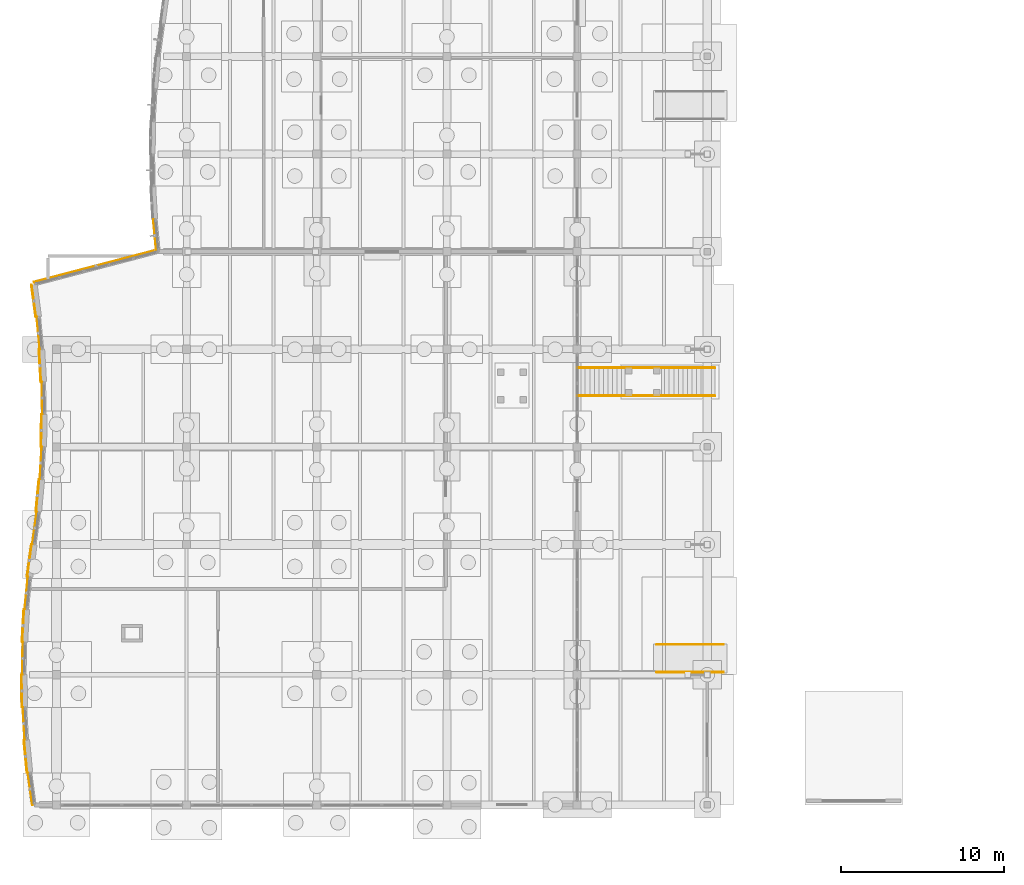
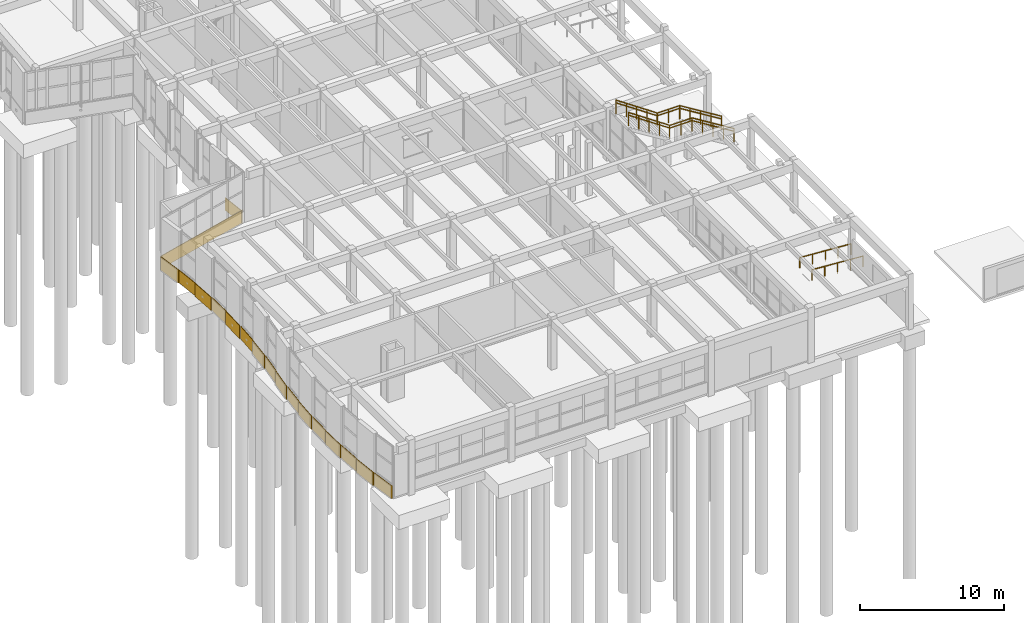
# One storey, part 86 of 99: 18 coverings, 6 railings.
"""IFC4 building model written with IfcOpenShell, lengths in metres."""

from ifc_helpers import new_model, si_unit, direction, frame, origin, origin_2d, place, context, subcontext, project, spatial, polyline, circle, outline, extrude, material, layer, layer_set, type_object, element, save


model = new_model("IFC4")

# Units and contexts
model_context = context("Model", 3, precision=1e-05, world=origin(), true_north=direction((0.0, 1.0)))
body_context = subcontext(model_context, "Body", "Model", "MODEL_VIEW")
ifc_project = project(units=[si_unit("LENGTHUNIT", "METRE"), si_unit("AREAUNIT", "SQUARE_METRE"), si_unit("VOLUMEUNIT", "CUBIC_METRE"), si_unit("PLANEANGLEUNIT", "RADIAN"), si_unit("MASSUNIT", "GRAM", prefix="KILO")], contexts=[model_context])

# Site, building, storey
site_placement = place(None, origin())
site = spatial("IfcSite", under=ifc_project, at=site_placement, CompositionType="ELEMENT")
building_placement = place(site_placement, origin())
building = spatial("IfcBuilding", under=site, at=building_placement, Name="Tonlespit Floodbar School", CompositionType="ELEMENT")
storey_placement = place(building_placement, origin())
storey = spatial("IfcBuildingStorey", under=building, at=storey_placement, Name="L00", CompositionType="ELEMENT", Elevation=0.0)

# Railings
ifc_material_1 = material(Name="Galvanised Steel", Category="steel")
railing_type_1 = type_object("IfcRailingType", Name="Balustrade_Ext_1150", PredefinedType="BALUSTRADE", material=ifc_material_1)
railing_1_placement = place(storey_placement, frame((44.4599609375, 30.860107421875, 0.173095703125)))
element("IfcRailing", 1, at=railing_1_placement, inside=storey, type_object=railing_type_1, Name="ST-D1 side guard 1", PredefinedType="BALUSTRADE", context=body_context, shape_type="SweptSolid", body=[
    extrude(circle(Radius=0.02392578125, at=origin_2d()), frame((0.0, 0.0, 1.1259765625), z_axis=(-0.850606129759, 0.0, 0.525803396734), x_axis=(0.0, -1.0, 0.0)), (0.0, 0.0, 1.0), 3.949951171875),
    extrude(circle(Radius=0.02392578125, at=origin_2d()), frame((-3.35986328125, 0.0, 3.20263671875), z_axis=(-1.0, 0.0, 0.0), x_axis=(0.0, -1.0, 0.0)), (0.0, 0.0, 1.0), 1.800048828125),
    extrude(circle(Radius=0.02392578125, at=origin_2d()), frame((-5.159912109375, 0.0, 3.20263671875), z_axis=(-0.826231222393, 0.0, 0.56333113454), x_axis=(0.0, -1.0, 0.0)), (0.0, 0.0, 1.0), 3.994140625),
    extrude(circle(Radius=0.02099609375, at=origin_2d()), origin(), (0.0, 0.0, 1.0), 1.101806640625),
    extrude(circle(Radius=0.02099609375, at=origin_2d()), frame((-0.83984375, 0.0, 0.519287109375)), (0.0, 0.0, 1.0), 1.101806640625),
    extrude(circle(Radius=0.02099609375, at=origin_2d()), frame((-1.679931640625, 0.0, 1.03857421875)), (0.0, 0.0, 1.0), 1.101806640625),
    extrude(circle(Radius=0.02099609375, at=origin_2d()), frame((-2.52001953125, 0.0, 1.5576171875)), (0.0, 0.0, 1.0), 1.101806640625),
    extrude(circle(Radius=0.02099609375, at=origin_2d()), frame((-3.35986328125, 0.0, 2.076904296875)), (0.0, 0.0, 1.0), 1.101806640625),
    extrude(circle(Radius=0.02099609375, at=origin_2d()), frame((-4.259765625, 0.0, 2.076904296875)), (0.0, 0.0, 1.0), 1.101806640625),
    extrude(circle(Radius=0.02099609375, at=origin_2d()), frame((-5.159912109375, 0.0, 2.076904296875)), (0.0, 0.0, 1.0), 1.101806640625),
    extrude(circle(Radius=0.02099609375, at=origin_2d()), frame((-5.98486328125, 0.0, 2.639404296875)), (0.0, 0.0, 1.0), 1.101806640625),
    extrude(circle(Radius=0.02099609375, at=origin_2d()), frame((-6.81005859375, 0.0, 3.201904296875)), (0.0, 0.0, 1.0), 1.101806640625),
    extrude(circle(Radius=0.02099609375, at=origin_2d()), frame((-7.635009765625, 0.0, 3.764404296875)), (0.0, 0.0, 1.0), 1.101806640625),
    extrude(circle(Radius=0.02099609375, at=origin_2d()), frame((-8.4599609375, 0.0, 4.326904296875)), (0.0, 0.0, 1.0), 1.101806640625),
])
railing_2_placement = place(storey_placement, frame((44.4599609375, 29.139892578125, 0.173095703125)))
element("IfcRailing", 2, at=railing_2_placement, inside=storey, type_object=railing_type_1, Name="ST-D1 side guard 2", PredefinedType="BALUSTRADE", context=body_context, shape_type="SweptSolid", body=[
    extrude(circle(Radius=0.02392578125, at=origin_2d()), frame((0.0, 0.0, 1.1259765625), z_axis=(-0.850606129759, 0.0, 0.525803396734), x_axis=(0.0, -1.0, 0.0)), (0.0, 0.0, 1.0), 3.949951171875),
    extrude(circle(Radius=0.02392578125, at=origin_2d()), frame((-3.35986328125, 0.0, 3.20263671875), z_axis=(-1.0, 0.0, 0.0), x_axis=(0.0, -1.0, 0.0)), (0.0, 0.0, 1.0), 1.800048828125),
    extrude(circle(Radius=0.02392578125, at=origin_2d()), frame((-5.159912109375, 0.0, 3.20263671875), z_axis=(-0.826231222393, 0.0, 0.56333113454), x_axis=(0.0, -1.0, 0.0)), (0.0, 0.0, 1.0), 3.994140625),
    extrude(circle(Radius=0.02099609375, at=origin_2d()), origin(), (0.0, 0.0, 1.0), 1.101806640625),
    extrude(circle(Radius=0.02099609375, at=origin_2d()), frame((-0.83984375, 0.0, 0.519287109375)), (0.0, 0.0, 1.0), 1.101806640625),
    extrude(circle(Radius=0.02099609375, at=origin_2d()), frame((-1.679931640625, 0.0, 1.03857421875)), (0.0, 0.0, 1.0), 1.101806640625),
    extrude(circle(Radius=0.02099609375, at=origin_2d()), frame((-2.52001953125, 0.0, 1.5576171875)), (0.0, 0.0, 1.0), 1.101806640625),
    extrude(circle(Radius=0.02099609375, at=origin_2d()), frame((-3.35986328125, 0.0, 2.076904296875)), (0.0, 0.0, 1.0), 1.101806640625),
    extrude(circle(Radius=0.02099609375, at=origin_2d()), frame((-4.259765625, 0.0, 2.076904296875)), (0.0, 0.0, 1.0), 1.101806640625),
    extrude(circle(Radius=0.02099609375, at=origin_2d()), frame((-5.159912109375, 0.0, 2.076904296875)), (0.0, 0.0, 1.0), 1.101806640625),
    extrude(circle(Radius=0.02099609375, at=origin_2d()), frame((-5.98486328125, 0.0, 2.639404296875)), (0.0, 0.0, 1.0), 1.101806640625),
    extrude(circle(Radius=0.02099609375, at=origin_2d()), frame((-6.81005859375, 0.0, 3.201904296875)), (0.0, 0.0, 1.0), 1.101806640625),
    extrude(circle(Radius=0.02099609375, at=origin_2d()), frame((-7.635009765625, 0.0, 3.764404296875)), (0.0, 0.0, 1.0), 1.101806640625),
    extrude(circle(Radius=0.02099609375, at=origin_2d()), frame((-8.4599609375, 0.0, 4.326904296875)), (0.0, 0.0, 1.0), 1.101806640625),
])

# Coverings
ifc_material_2 = material(Name="White Architectural Aluminium", Category="aluminium")
ifc_layer = layer(ifc_material_2, 0.050048828125)
ifc_layer_set = layer_set([ifc_layer], Name="White Architectural Aluminium")
covering_type = type_object("IfcCoveringType", Name="Cladding_WhiteBand_50", PredefinedType="CLADDING", material=ifc_layer_set)
covering_1_placement = place(storey_placement, frame((0.0, 0.0, -0.1201171875)))
element("IfcCovering", 3, at=covering_1_placement, inside=storey, type_object=covering_type, Name="L00 curved white spandrel cladding 0485", PredefinedType="CLADDING", context=body_context, shape_type="SweptSolid", body=[
    extrude(outline(polyline([(10.1787109375, 37.990478515625), (9.985595703125, 39.990478515625), (9.935791015625, 39.985595703125), (10.12890625, 37.985595703125), (10.1787109375, 37.990478515625)])), origin(), (0.0, 0.0, 1.0), 1.070068359375),
])
covering_2_placement = place(storey_placement, frame((0.0, 0.0, -0.1201171875)))
element("IfcCovering", 4, at=covering_2_placement, inside=storey, type_object=covering_type, Name="L00 curved white spandrel cladding 0746", PredefinedType="CLADDING", context=body_context, shape_type="SweptSolid", body=[
    extrude(outline(polyline([(2.55078125, 3.986572265625), (2.279052734375, 5.986572265625), (2.2294921875, 5.979736328125), (2.50146484375, 3.979736328125), (2.55078125, 3.986572265625)])), origin(), (0.0, 0.0, 1.0), 1.070068359375),
])
covering_3_placement = place(storey_placement, frame((0.0, 0.0, -0.1201171875)))
element("IfcCovering", 5, at=covering_3_placement, inside=storey, type_object=covering_type, Name="L00 curved white spandrel cladding 0747", PredefinedType="CLADDING", context=body_context, shape_type="SweptSolid", body=[
    extrude(outline(polyline([(2.218994140625, 5.984619140625), (2.025634765625, 7.984619140625), (1.975830078125, 7.979736328125), (2.169189453125, 5.979736328125), (2.218994140625, 5.984619140625)])), origin(), (0.0, 0.0, 1.0), 1.1201171875),
])
covering_4_placement = place(storey_placement, frame((0.0, 0.0, -0.1201171875)))
element("IfcCovering", 6, at=covering_4_placement, inside=storey, type_object=covering_type, Name="L00 curved white spandrel cladding 0748", PredefinedType="CLADDING", context=body_context, shape_type="SweptSolid", body=[
    extrude(outline(polyline([(2.085205078125, 7.994140625), (1.969482421875, 9.994140625), (1.919677734375, 9.9912109375), (2.035400390625, 7.9912109375), (2.085205078125, 7.994140625)])), origin(), (0.0, 0.0, 1.0), 1.070068359375),
])
covering_5_placement = place(storey_placement, frame((0.0, 0.0, -0.1201171875)))
element("IfcCovering", 7, at=covering_5_placement, inside=storey, type_object=covering_type, Name="L00 curved white spandrel cladding 0749", PredefinedType="CLADDING", context=body_context, shape_type="SweptSolid", body=[
    extrude(outline(polyline([(1.909423828125, 9.996826171875), (1.870849609375, 11.996826171875), (1.82080078125, 11.995849609375), (1.859375, 9.995849609375), (1.909423828125, 9.996826171875)])), origin(), (0.0, 0.0, 1.0), 1.1201171875),
])
covering_6_placement = place(storey_placement, frame((0.0, 0.0, -0.1201171875)))
element("IfcCovering", 8, at=covering_6_placement, inside=storey, type_object=covering_type, Name="L00 curved white spandrel cladding 0750", PredefinedType="CLADDING", context=body_context, shape_type="SweptSolid", body=[
    extrude(outline(polyline([(1.930908203125, 12.001953125), (1.969482421875, 14.001953125), (1.91943359375, 14.0029296875), (1.880859375, 12.0029296875), (1.930908203125, 12.001953125)])), origin(), (0.0, 0.0, 1.0), 1.070068359375),
])
covering_7_placement = place(storey_placement, frame((0.0, 0.0, -0.1201171875)))
element("IfcCovering", 9, at=covering_7_placement, inside=storey, type_object=covering_type, Name="L00 curved white spandrel cladding 0751", PredefinedType="CLADDING", context=body_context, shape_type="SweptSolid", body=[
    extrude(outline(polyline([(1.90966796875, 14.00927734375), (2.025390625, 16.00927734375), (1.975341796875, 16.01220703125), (1.85986328125, 14.01220703125), (1.90966796875, 14.00927734375)])), origin(), (0.0, 0.0, 1.0), 1.1201171875),
])
covering_8_placement = place(storey_placement, frame((0.0, 0.0, -0.1201171875)))
element("IfcCovering", 10, at=covering_8_placement, inside=storey, type_object=covering_type, Name="L00 curved white spandrel cladding 0752", PredefinedType="CLADDING", context=body_context, shape_type="SweptSolid", body=[
    extrude(outline(polyline([(2.08544921875, 16.009521484375), (2.27880859375, 18.009521484375), (2.22900390625, 18.014404296875), (2.03564453125, 16.014404296875), (2.08544921875, 16.009521484375)])), origin(), (0.0, 0.0, 1.0), 1.070068359375),
])
covering_9_placement = place(storey_placement, frame((0.0, 0.0, -0.1201171875)))
element("IfcCovering", 11, at=covering_9_placement, inside=storey, type_object=covering_type, Name="L00 curved white spandrel cladding 0753", PredefinedType="CLADDING", context=body_context, shape_type="SweptSolid", body=[
    extrude(outline(polyline([(2.2197265625, 18.021484375), (2.491455078125, 20.021484375), (2.44189453125, 20.0283203125), (2.170166015625, 18.0283203125), (2.2197265625, 18.021484375)])), origin(), (0.0, 0.0, 1.0), 1.1201171875),
])
covering_10_placement = place(storey_placement, frame((0.0, 0.0, -0.1201171875)))
element("IfcCovering", 12, at=covering_10_placement, inside=storey, type_object=covering_type, Name="L00 curved white spandrel cladding 0754", PredefinedType="CLADDING", context=body_context, shape_type="SweptSolid", body=[
    extrude(outline(polyline([(2.55078125, 20.013427734375), (2.82275390625, 22.013427734375), (2.773193359375, 22.020263671875), (2.50146484375, 20.020263671875), (2.55078125, 20.013427734375)])), origin(), (0.0, 0.0, 1.0), 1.070068359375),
])
covering_11_placement = place(storey_placement, frame((0.0, 0.0, -0.1201171875)))
element("IfcCovering", 13, at=covering_11_placement, inside=storey, type_object=covering_type, Name="L00 curved white spandrel cladding 0755", PredefinedType="CLADDING", context=body_context, shape_type="SweptSolid", body=[
    extrude(outline(polyline([(2.762451171875, 22.015380859375), (2.955810546875, 24.015380859375), (2.906005859375, 24.020263671875), (2.712646484375, 22.020263671875), (2.762451171875, 22.015380859375)])), origin(), (0.0, 0.0, 1.0), 1.1201171875),
])
covering_12_placement = place(storey_placement, frame((0.0, 0.0, -0.1201171875)))
element("IfcCovering", 14, at=covering_12_placement, inside=storey, type_object=covering_type, Name="L00 curved white spandrel cladding 0756", PredefinedType="CLADDING", context=body_context, shape_type="SweptSolid", body=[
    extrude(outline(polyline([(3.01513671875, 24.005859375), (3.130859375, 26.005859375), (3.080810546875, 26.0087890625), (2.96533203125, 24.0087890625), (3.01513671875, 24.005859375)])), origin(), (0.0, 0.0, 1.0), 1.070068359375),
])
covering_13_placement = place(storey_placement, frame((0.0, 0.0, -0.1201171875)))
element("IfcCovering", 15, at=covering_13_placement, inside=storey, type_object=covering_type, Name="L00 curved white spandrel cladding 0757", PredefinedType="CLADDING", context=body_context, shape_type="SweptSolid", body=[
    extrude(outline(polyline([(3.070556640625, 26.003173828125), (3.109130859375, 28.003173828125), (3.05908203125, 28.004150390625), (3.0205078125, 26.004150390625), (3.070556640625, 26.003173828125)])), origin(), (0.0, 0.0, 1.0), 1.1201171875),
])
covering_14_placement = place(storey_placement, frame((0.0, 0.0, -0.1201171875)))
element("IfcCovering", 16, at=covering_14_placement, inside=storey, type_object=covering_type, Name="L00 curved white spandrel cladding 0758", PredefinedType="CLADDING", context=body_context, shape_type="SweptSolid", body=[
    extrude(outline(polyline([(3.169189453125, 27.998046875), (3.130615234375, 29.998046875), (3.08056640625, 29.9970703125), (3.119140625, 27.9970703125), (3.169189453125, 27.998046875)])), origin(), (0.0, 0.0, 1.0), 1.070068359375),
])
covering_15_placement = place(storey_placement, frame((0.0, 0.0, -0.1201171875)))
element("IfcCovering", 17, at=covering_15_placement, inside=storey, type_object=covering_type, Name="L00 curved white spandrel cladding 0759", PredefinedType="CLADDING", context=body_context, shape_type="SweptSolid", body=[
    extrude(outline(polyline([(3.07080078125, 29.99072265625), (2.955322265625, 31.99072265625), (2.905517578125, 31.98779296875), (3.02099609375, 29.98779296875), (3.07080078125, 29.99072265625)])), origin(), (0.0, 0.0, 1.0), 1.1201171875),
])
covering_16_placement = place(storey_placement, frame((0.0, 0.0, -0.1201171875)))
element("IfcCovering", 18, at=covering_16_placement, inside=storey, type_object=covering_type, Name="L00 curved white spandrel cladding 0760", PredefinedType="CLADDING", context=body_context, shape_type="SweptSolid", body=[
    extrude(outline(polyline([(3.015380859375, 31.990478515625), (2.822265625, 33.990478515625), (2.7724609375, 33.985595703125), (2.9658203125, 31.985595703125), (3.015380859375, 31.990478515625)])), origin(), (0.0, 0.0, 1.0), 1.070068359375),
])
covering_17_placement = place(storey_placement, frame((0.0, 0.0, -0.1201171875)))
element("IfcCovering", 19, at=covering_17_placement, inside=storey, type_object=covering_type, Name="L00 curved white spandrel cladding 0761", PredefinedType="CLADDING", context=body_context, shape_type="SweptSolid", body=[
    extrude(outline(polyline([(2.76318359375, 33.978515625), (2.491455078125, 35.978515625), (2.44189453125, 35.9716796875), (2.7138671875, 33.9716796875), (2.76318359375, 33.978515625)])), origin(), (0.0, 0.0, 1.0), 1.1201171875),
])
covering_18_placement = place(storey_placement, frame((0.0, 0.0, -0.1201171875)))
element("IfcCovering", 20, at=covering_18_placement, inside=storey, type_object=covering_type, Name="L00 curved white spandrel cladding 0762", PredefinedType="CLADDING", context=body_context, shape_type="SweptSolid", body=[
    extrude(outline(polyline([(2.62451171875, 36.0966796875), (10.252685546875, 38.0966796875), (10.239990234375, 38.14501953125), (2.61181640625, 36.14501953125), (2.62451171875, 36.0966796875)])), origin(), (0.0, 0.0, 1.0), 1.070068359375),
])

# Railings
railing_type_2 = type_object("IfcRailingType", Name="Handrail_Ext_920", PredefinedType="HANDRAIL", material=ifc_material_1)
railing_3_placement = place(storey_placement, frame((44.4599609375, 30.860107421875, 0.173095703125)))
element("IfcRailing", 21, at=railing_3_placement, inside=storey, type_object=railing_type_2, Name="ST-D1 handrail 1", PredefinedType="HANDRAIL", context=body_context, shape_type="SweptSolid", body=[
    extrude(circle(Radius=0.02392578125, at=origin_2d()), frame((0.0, 0.0, 0.89599609375), z_axis=(-0.850606129759, 0.0, 0.525803396734), x_axis=(0.0, -1.0, 0.0)), (0.0, 0.0, 1.0), 3.949951171875),
    extrude(circle(Radius=0.02392578125, at=origin_2d()), frame((-3.35986328125, 0.0, 2.97265625), z_axis=(-1.0, 0.0, 0.0), x_axis=(0.0, -1.0, 0.0)), (0.0, 0.0, 1.0), 1.800048828125),
    extrude(circle(Radius=0.02392578125, at=origin_2d()), frame((-5.159912109375, 0.0, 2.97265625), z_axis=(-0.826231222393, 0.0, 0.56333113454), x_axis=(0.0, -1.0, 0.0)), (0.0, 0.0, 1.0), 3.994140625),
    extrude(circle(Radius=0.02099609375, at=origin_2d()), origin(), (0.0, 0.0, 1.0), 0.871826171875),
    extrude(circle(Radius=0.02099609375, at=origin_2d()), frame((-0.83984375, 0.0, 0.519287109375)), (0.0, 0.0, 1.0), 0.871826171875),
    extrude(circle(Radius=0.02099609375, at=origin_2d()), frame((-1.679931640625, 0.0, 1.03857421875)), (0.0, 0.0, 1.0), 0.871826171875),
    extrude(circle(Radius=0.02099609375, at=origin_2d()), frame((-2.52001953125, 0.0, 1.5576171875)), (0.0, 0.0, 1.0), 0.871826171875),
    extrude(circle(Radius=0.02099609375, at=origin_2d()), frame((-3.35986328125, 0.0, 2.076904296875)), (0.0, 0.0, 1.0), 0.871826171875),
    extrude(circle(Radius=0.02099609375, at=origin_2d()), frame((-4.259765625, 0.0, 2.076904296875)), (0.0, 0.0, 1.0), 0.871826171875),
    extrude(circle(Radius=0.02099609375, at=origin_2d()), frame((-5.159912109375, 0.0, 2.076904296875)), (0.0, 0.0, 1.0), 0.871826171875),
    extrude(circle(Radius=0.02099609375, at=origin_2d()), frame((-5.98486328125, 0.0, 2.639404296875)), (0.0, 0.0, 1.0), 0.871826171875),
    extrude(circle(Radius=0.02099609375, at=origin_2d()), frame((-6.81005859375, 0.0, 3.201904296875)), (0.0, 0.0, 1.0), 0.871826171875),
    extrude(circle(Radius=0.02099609375, at=origin_2d()), frame((-7.635009765625, 0.0, 3.764404296875)), (0.0, 0.0, 1.0), 0.871826171875),
    extrude(circle(Radius=0.02099609375, at=origin_2d()), frame((-8.4599609375, 0.0, 4.326904296875)), (0.0, 0.0, 1.0), 0.871826171875),
])
railing_4_placement = place(storey_placement, frame((44.4599609375, 29.139892578125, 0.173095703125)))
element("IfcRailing", 22, at=railing_4_placement, inside=storey, type_object=railing_type_2, Name="ST-D1 handrail 2", PredefinedType="HANDRAIL", context=body_context, shape_type="SweptSolid", body=[
    extrude(circle(Radius=0.02392578125, at=origin_2d()), frame((0.0, 0.0, 0.89599609375), z_axis=(-0.850606129759, 0.0, 0.525803396734), x_axis=(0.0, -1.0, 0.0)), (0.0, 0.0, 1.0), 3.949951171875),
    extrude(circle(Radius=0.02392578125, at=origin_2d()), frame((-3.35986328125, 0.0, 2.97265625), z_axis=(-1.0, 0.0, 0.0), x_axis=(0.0, -1.0, 0.0)), (0.0, 0.0, 1.0), 1.800048828125),
    extrude(circle(Radius=0.02392578125, at=origin_2d()), frame((-5.159912109375, 0.0, 2.97265625), z_axis=(-0.826231222393, 0.0, 0.56333113454), x_axis=(0.0, -1.0, 0.0)), (0.0, 0.0, 1.0), 3.994140625),
    extrude(circle(Radius=0.02099609375, at=origin_2d()), origin(), (0.0, 0.0, 1.0), 0.871826171875),
    extrude(circle(Radius=0.02099609375, at=origin_2d()), frame((-0.83984375, 0.0, 0.519287109375)), (0.0, 0.0, 1.0), 0.871826171875),
    extrude(circle(Radius=0.02099609375, at=origin_2d()), frame((-1.679931640625, 0.0, 1.03857421875)), (0.0, 0.0, 1.0), 0.871826171875),
    extrude(circle(Radius=0.02099609375, at=origin_2d()), frame((-2.52001953125, 0.0, 1.5576171875)), (0.0, 0.0, 1.0), 0.871826171875),
    extrude(circle(Radius=0.02099609375, at=origin_2d()), frame((-3.35986328125, 0.0, 2.076904296875)), (0.0, 0.0, 1.0), 0.871826171875),
    extrude(circle(Radius=0.02099609375, at=origin_2d()), frame((-4.259765625, 0.0, 2.076904296875)), (0.0, 0.0, 1.0), 0.871826171875),
    extrude(circle(Radius=0.02099609375, at=origin_2d()), frame((-5.159912109375, 0.0, 2.076904296875)), (0.0, 0.0, 1.0), 0.871826171875),
    extrude(circle(Radius=0.02099609375, at=origin_2d()), frame((-5.98486328125, 0.0, 2.639404296875)), (0.0, 0.0, 1.0), 0.871826171875),
    extrude(circle(Radius=0.02099609375, at=origin_2d()), frame((-6.81005859375, 0.0, 3.201904296875)), (0.0, 0.0, 1.0), 0.871826171875),
    extrude(circle(Radius=0.02099609375, at=origin_2d()), frame((-7.635009765625, 0.0, 3.764404296875)), (0.0, 0.0, 1.0), 0.871826171875),
    extrude(circle(Radius=0.02099609375, at=origin_2d()), frame((-8.4599609375, 0.0, 4.326904296875)), (0.0, 0.0, 1.0), 0.871826171875),
])
for number, where, name in (
    (23, (45.0, 13.85009765625, -0.284912109375), "Ramp RMP-W1 handrail 1"),
    (24, (45.0, 12.14990234375, -0.284912109375), "Ramp RMP-W1 handrail 2"),
):
    element("IfcRailing", number, at=place(storey_placement, frame(where)), inside=storey, type_object=railing_type_2, Name=name, PredefinedType="HANDRAIL", context=body_context, shape_type="SweptSolid", body=[
        extrude(circle(Radius=0.02392578125, at=origin_2d()), frame((0.0, 0.0, 0.89599609375), z_axis=(-0.997838466011, 0.0, 0.065714501811), x_axis=(0.0, -1.0, 0.0)), (0.0, 0.0, 1.0), 4.10888671875),
        extrude(circle(Radius=0.02099609375, at=origin_2d()), origin(), (0.0, 0.0, 1.0), 0.871826171875),
        extrude(circle(Radius=0.02099609375, at=origin_2d()), frame((-1.02490234375, 0.0, 0.0673828125)), (0.0, 0.0, 1.0), 0.871826171875),
        extrude(circle(Radius=0.02099609375, at=origin_2d()), frame((-2.050048828125, 0.0, 0.135009765625)), (0.0, 0.0, 1.0), 0.871826171875),
        extrude(circle(Radius=0.02099609375, at=origin_2d()), frame((-3.0751953125, 0.0, 0.20263671875)), (0.0, 0.0, 1.0), 0.871826171875),
        extrude(circle(Radius=0.02099609375, at=origin_2d()), frame((-4.10009765625, 0.0, 0.27001953125)), (0.0, 0.0, 1.0), 0.871826171875),
    ])

save(model, "model.ifc")
